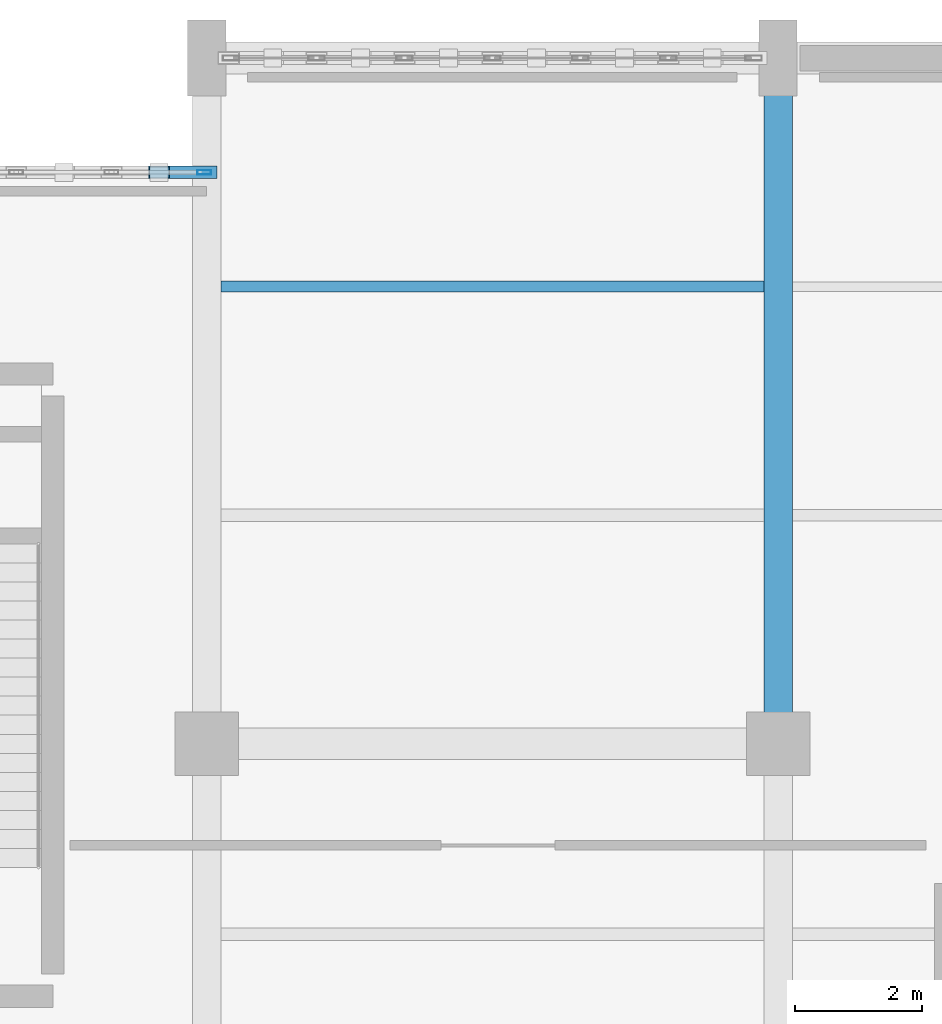
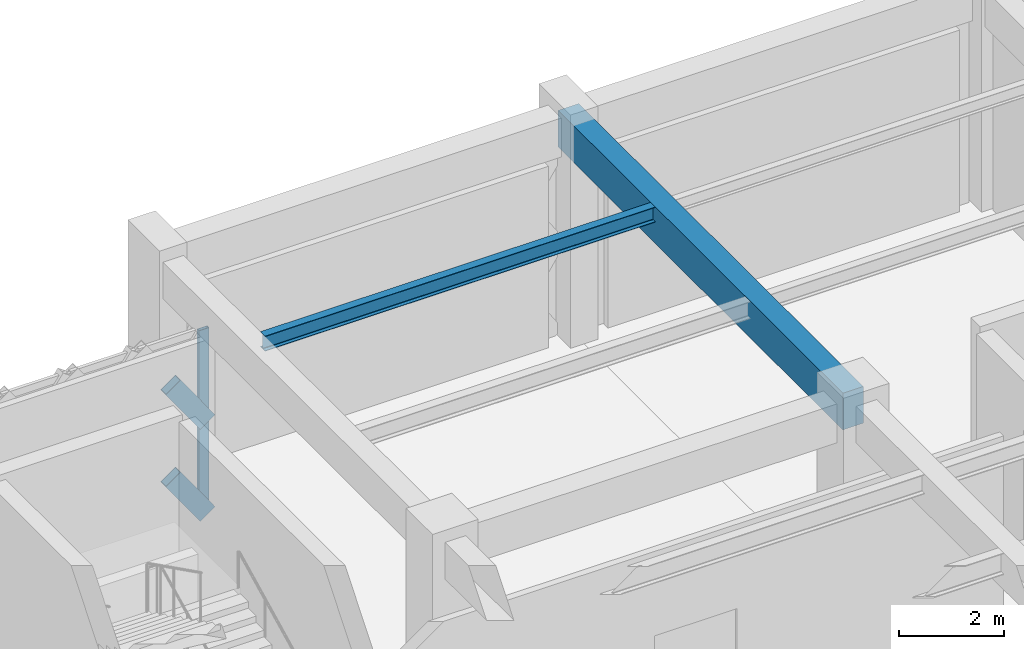
# One storey, part 68 of 140: 3 members, 2 beams, 1 element without a shape of its own.
"""IFC4 building model written with IfcOpenShell, lengths in metres."""

from ifc_helpers import new_model, si_unit, direction, frame, origin, origin_2d, place, context, subcontext, project, spatial, rectangle, hollow_rectangle, i_section, extrude, material, material_profile, profile_set, type_object, element, aggregate, save


model = new_model("IFC4")

# Units and contexts
model_context = context("Model", 3, precision=1e-05, world=origin(), true_north=direction((0.0, 1.0)))
body_context = subcontext(model_context, "Body", "Model", "MODEL_VIEW")
ifc_project = project(units=[si_unit("LENGTHUNIT", "METRE"), si_unit("AREAUNIT", "SQUARE_METRE"), si_unit("VOLUMEUNIT", "CUBIC_METRE"), si_unit("PLANEANGLEUNIT", "RADIAN"), si_unit("MASSUNIT", "GRAM", prefix="KILO")], contexts=[model_context])

# Site, building, storey
site_placement = place(None, origin())
site = spatial("IfcSite", under=ifc_project, at=site_placement, CompositionType="ELEMENT")
building_placement = place(site_placement, origin())
building = spatial("IfcBuilding", under=site, at=building_placement, Name="Haizhuo Lancet Aquarium", CompositionType="ELEMENT")
storey_placement = place(building_placement, origin())
storey = spatial("IfcBuildingStorey", under=building, at=storey_placement, Name="L00", CompositionType="ELEMENT", Elevation=0.0)

# Beam
ifc_material_1 = material(Name="Concrete C40/50", Category="concrete")
ifc_material_profile_1 = material_profile(ifc_material_1, rectangle(XDim=0.449951171875, YDim=0.85009765625, at=origin_2d()), Name="RC-BM 450x850")
ifc_profile_set_1 = profile_set([ifc_material_profile_1], Name="Concrete C40/50")
beam_type_1 = type_object("IfcBeamType", Name="BM-RC-450x850", PredefinedType="BEAM", material=ifc_profile_set_1)
beam_1_placement = place(storey_placement, frame((-9.0, 45.0, 4.695068359375), z_axis=(0.0, 1.0, 0.0), x_axis=(-1.0, 0.0, 0.0)))
element("IfcBeam", 1, at=beam_1_placement, inside=storey, type_object=beam_type_1, Name="L00 V5 primary girder BM-L00-V5-014", PredefinedType="BEAM", context=body_context, shape_type="SweptSolid", body=[
    extrude(rectangle(XDim=0.449951171875, YDim=0.85009765625, at=origin_2d()), origin(), (0.0, 0.0, 1.0), 10.800048828125),
])

# Curtain wall, member
ifc_material_2 = material(Name="Aluminium 6063-T6", Category="aluminium")
curtain_wall_type = type_object("IfcCurtainWallType", Name="CWD-9000x4260", PredefinedType="NOTDEFINED", material=ifc_material_2)
curtain_wall_placement = place(storey_placement, origin())
curtain_wall = element("IfcCurtainWall", 2, at=curtain_wall_placement, inside=storey, type_object=curtain_wall_type, Name="L00 curtain wall CW-V5-L00-116", PredefinedType="NOTDEFINED")
ifc_material_profile_2 = material_profile(ifc_material_2, hollow_rectangle(XDim=0.074951171875, YDim=0.219970703125, WallThickness=0.0048828125, at=origin_2d()), Name="ALU-M 75x220x5")
ifc_profile_set_2 = profile_set([ifc_material_profile_2], Name="Aluminium 6063-T6")
member_type_1 = type_object("IfcMemberType", Name="CW-MUL-2", PredefinedType="MULLION", material=ifc_profile_set_2)
member_1_placement = place(storey_placement, frame((-18.0380859375, 54.0, 0.0), z_axis=(0.0, 0.0, 1.0), x_axis=(0.0, 1.0, 0.0)))
member_1 = element("IfcMember", 3, at=member_1_placement, type_object=member_type_1, Name="CWD-90x42 mullion 7", PredefinedType="MULLION", context=body_context, shape_type="SweptSolid", body=[
    extrude(hollow_rectangle(XDim=0.074951171875, YDim=0.219970703125, WallThickness=0.0048828125, at=origin_2d()), origin(), (0.0, 0.0, 1.0), 4.2548828125),
])
aggregate(curtain_wall, [member_1])

# Beam
ifc_material_3 = material(Name="Steel S355", Category="steel")
ifc_material_profile_3 = material_profile(ifc_material_3, i_section(OverallWidth=0.175048828125, OverallDepth=0.35009765625, WebThickness=0.007080078125, FlangeThickness=0.010986328125, FilletRadius=0.013916015625, at=origin_2d()), Name="HN 350x175x7x11")
ifc_profile_set_3 = profile_set([ifc_material_profile_3], Name="Steel S355")
beam_type_2 = type_object("IfcBeamType", Name="JST-ST-HN350", PredefinedType="JOIST", material=ifc_profile_set_3)
beam_2_placement = place(storey_placement, frame((-17.77490234375, 52.199951171875, 4.945068359375), z_axis=(1.0, 0.0, 0.0), x_axis=(0.0, 1.0, 0.0)))
element("IfcBeam", 4, at=beam_2_placement, inside=storey, type_object=beam_type_2, Name="L00 V5 secondary floor joist 7", PredefinedType="JOIST", context=body_context, shape_type="SweptSolid", body=[
    extrude(i_section(OverallWidth=0.175048828125, OverallDepth=0.35009765625, WebThickness=0.007080078125, FlangeThickness=0.010986328125, FilletRadius=0.013916015625, at=origin_2d()), origin(), (0.0, 0.0, 1.0), 8.5498046875),
])

# Members
ifc_material_profile_4 = material_profile(ifc_material_3, hollow_rectangle(XDim=0.199951171875, YDim=0.39990234375, WallThickness=0.011962890625, at=origin_2d()), Name="RHS 200x400x12")
ifc_profile_set_4 = profile_set([ifc_material_profile_4], Name="Steel S355")
member_type_2 = type_object("IfcMemberType", Name="MEM-LB-RHS200x400", PredefinedType="BRACE", material=ifc_profile_set_4)
member_2_placement = place(storey_placement, frame((-18.0, 54.0, 0.0), z_axis=(-0.576506354413, 0.0, 0.817092665076), x_axis=(0.0, -1.0, 0.0)))
element("IfcMember", 5, at=member_2_placement, inside=storey, type_object=member_type_2, Name="Gothic lancet split diagonal brace CW-V5-L00-116 11B1", PredefinedType="BRACE", context=body_context, shape_type="SweptSolid", body=[
    extrude(hollow_rectangle(XDim=0.199951171875, YDim=0.39990234375, WallThickness=0.011962890625, at=origin_2d()), origin(), (0.0, 0.0, 1.0), 1.301025390625),
])
member_3_placement = place(storey_placement, frame((-18.0, 54.0, 2.126953125), z_axis=(-0.57615291237, 0.0, 0.817341924514), x_axis=(0.0, -1.0, 0.0)))
element("IfcMember", 6, at=member_3_placement, inside=storey, type_object=member_type_2, Name="Gothic lancet split diagonal brace CW-V5-L00-116 12B1", PredefinedType="BRACE", context=body_context, shape_type="SweptSolid", body=[
    extrude(hollow_rectangle(XDim=0.199951171875, YDim=0.39990234375, WallThickness=0.011962890625, at=origin_2d()), origin(), (0.0, 0.0, 1.0), 1.3017578125),
])

save(model, "model.ifc")
